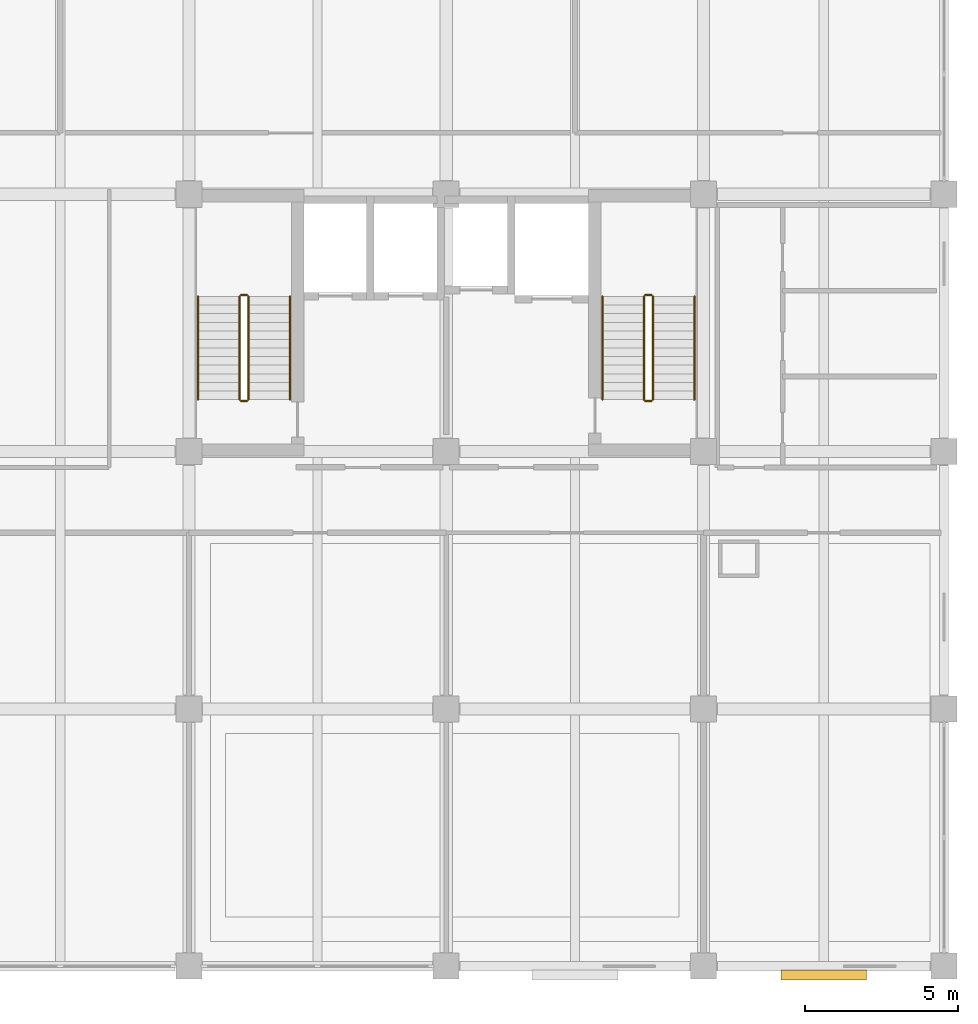
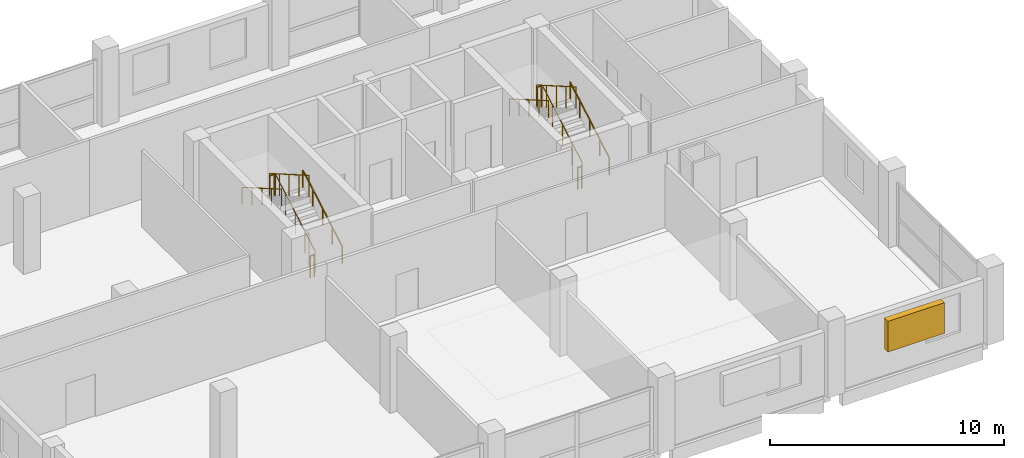
# One storey, part 11 of 11: 12 railings, 1 shading device.
"""IFC4 building model written with IfcOpenShell, lengths in metres."""

from ifc_helpers import new_model, si_unit, direction, frame, origin, origin_2d, place, context, subcontext, project, spatial, rectangle, circle, extrude, material, type_object, element, save


model = new_model("IFC4")

# Units and contexts
model_context = context("Model", 3, precision=1e-05, world=origin(), true_north=direction((0.0, 1.0)))
body_context = subcontext(model_context, "Body", "Model", "MODEL_VIEW")
ifc_project = project(units=[si_unit("LENGTHUNIT", "METRE"), si_unit("AREAUNIT", "SQUARE_METRE"), si_unit("VOLUMEUNIT", "CUBIC_METRE"), si_unit("PLANEANGLEUNIT", "RADIAN"), si_unit("MASSUNIT", "GRAM", prefix="KILO")], contexts=[model_context])

# Site, building, storey
site_placement = place(None, origin())
site = spatial("IfcSite", under=ifc_project, at=site_placement, CompositionType="ELEMENT")
building_placement = place(site_placement, origin())
building = spatial("IfcBuilding", under=site, at=building_placement, Name="Brinegate Botanical Conservatory", CompositionType="ELEMENT")
storey_placement = place(building_placement, frame((0.0, 0.0, 23.39990234375)))
storey = spatial("IfcBuildingStorey", under=building, at=storey_placement, Name="L06", CompositionType="ELEMENT", Elevation=23.39990234375)

# Railings
ifc_material_1 = material(Name="Structural steel Q355B / S355 painted tubular guardrail", Category="steel")
railing_type_1 = type_object("IfcRailingType", Name="Rail_ST-GRD", PredefinedType="GUARDRAIL", material=ifc_material_1)
railing_1_placement = place(storey_placement, frame((140.75, 96.89990234375, 0.16162109375)))
element("IfcRailing", 1, at=railing_1_placement, inside=storey, type_object=railing_type_1, Name="L06 ST1 stair guard 1", PredefinedType="GUARDRAIL", context=body_context, shape_type="SweptSolid", body=[
    extrude(circle(Radius=0.02392578125, at=origin_2d()), frame((0.0, 0.0, 1.1259765625), z_axis=(0.0, 0.866190824863, 0.499713372768), x_axis=(-1.0, 0.0, 0.0)), (0.0, 0.0, 1.0), 3.879150390625),
    extrude(circle(Radius=0.02099609375, at=origin_2d()), origin(), (0.0, 0.0, 1.0), 1.101806640625),
    extrude(circle(Radius=0.02099609375, at=origin_2d()), frame((0.0, 0.840087890625, 0.484619140625)), (0.0, 0.0, 1.0), 1.101806640625),
    extrude(circle(Radius=0.02099609375, at=origin_2d()), frame((0.0, 1.68017578125, 0.96923828125)), (0.0, 0.0, 1.0), 1.101806640625),
    extrude(circle(Radius=0.02099609375, at=origin_2d()), frame((0.0, 2.52001953125, 1.453857421875)), (0.0, 0.0, 1.0), 1.101806640625),
    extrude(circle(Radius=0.02099609375, at=origin_2d()), frame((0.0, 3.360107421875, 1.9384765625)), (0.0, 0.0, 1.0), 1.101806640625),
])
railing_2_placement = place(storey_placement, frame((140.699951171875, 100.31005859375, 2.10009765625)))
element("IfcRailing", 2, at=railing_2_placement, inside=storey, type_object=railing_type_1, Name="L06 ST1 stair guard 2", PredefinedType="GUARDRAIL", context=body_context, shape_type="SweptSolid", body=[
    extrude(circle(Radius=0.02392578125, at=origin_2d()), frame((0.0, 0.0, 1.1259765625), z_axis=(-1.0, 0.0, 0.0), x_axis=(0.0, -1.0, 0.0)), (0.0, 0.0, 1.0), 0.199951171875),
    extrude(circle(Radius=0.02099609375, at=origin_2d()), origin(), (0.0, 0.0, 1.0), 1.101806640625),
    extrude(circle(Radius=0.02099609375, at=origin_2d()), frame((-0.199951171875, 0.0, 0.0)), (0.0, 0.0, 1.0), 1.101806640625),
])
railing_3_placement = place(storey_placement, frame((140.449951171875, 100.260009765625, 2.26171875)))
element("IfcRailing", 3, at=railing_3_placement, inside=storey, type_object=railing_type_1, Name="L06 ST1 stair guard 3", PredefinedType="GUARDRAIL", context=body_context, shape_type="SweptSolid", body=[
    extrude(circle(Radius=0.02392578125, at=origin_2d()), frame((0.0, 0.0, 1.1259765625), z_axis=(0.0, -0.866190824863, 0.499713372768), x_axis=(1.0, 0.0, 0.0)), (0.0, 0.0, 1.0), 3.879150390625),
    extrude(circle(Radius=0.02099609375, at=origin_2d()), origin(), (0.0, 0.0, 1.0), 1.101806640625),
    extrude(circle(Radius=0.02099609375, at=origin_2d()), frame((0.0, -0.840087890625, 0.484619140625)), (0.0, 0.0, 1.0), 1.101806640625),
    extrude(circle(Radius=0.02099609375, at=origin_2d()), frame((0.0, -1.68017578125, 0.96923828125)), (0.0, 0.0, 1.0), 1.101806640625),
    extrude(circle(Radius=0.02099609375, at=origin_2d()), frame((0.0, -2.52001953125, 1.453857421875)), (0.0, 0.0, 1.0), 1.101806640625),
    extrude(circle(Radius=0.02099609375, at=origin_2d()), frame((0.0, -3.360107421875, 1.9384765625)), (0.0, 0.0, 1.0), 1.101806640625),
])
railing_4_placement = place(storey_placement, frame((140.699951171875, 96.85009765625, 0.0)))
element("IfcRailing", 4, at=railing_4_placement, inside=storey, type_object=railing_type_1, Name="L06 ST1 stair guard 4", PredefinedType="GUARDRAIL", context=body_context, shape_type="SweptSolid", body=[
    extrude(circle(Radius=0.02392578125, at=origin_2d()), frame((0.0, 0.0, 1.1259765625), z_axis=(-1.0, 0.0, 0.0), x_axis=(0.0, -1.0, 0.0)), (0.0, 0.0, 1.0), 0.199951171875),
    extrude(circle(Radius=0.02099609375, at=origin_2d()), origin(), (0.0, 0.0, 1.0), 1.101806640625),
    extrude(circle(Radius=0.02099609375, at=origin_2d()), frame((-0.199951171875, 0.0, 0.0)), (0.0, 0.0, 1.0), 1.101806640625),
])
railing_5_placement = place(storey_placement, frame((153.949951171875, 96.89990234375, 0.16162109375)))
element("IfcRailing", 5, at=railing_5_placement, inside=storey, type_object=railing_type_1, Name="L06 ST2 stair guard 1", PredefinedType="GUARDRAIL", context=body_context, shape_type="SweptSolid", body=[
    extrude(circle(Radius=0.02392578125, at=origin_2d()), frame((0.0, 0.0, 1.1259765625), z_axis=(0.0, 0.866190824863, 0.499713372768), x_axis=(-1.0, 0.0, 0.0)), (0.0, 0.0, 1.0), 3.879150390625),
    extrude(circle(Radius=0.02099609375, at=origin_2d()), origin(), (0.0, 0.0, 1.0), 1.101806640625),
    extrude(circle(Radius=0.02099609375, at=origin_2d()), frame((0.0, 0.840087890625, 0.484619140625)), (0.0, 0.0, 1.0), 1.101806640625),
    extrude(circle(Radius=0.02099609375, at=origin_2d()), frame((0.0, 1.68017578125, 0.96923828125)), (0.0, 0.0, 1.0), 1.101806640625),
    extrude(circle(Radius=0.02099609375, at=origin_2d()), frame((0.0, 2.52001953125, 1.453857421875)), (0.0, 0.0, 1.0), 1.101806640625),
    extrude(circle(Radius=0.02099609375, at=origin_2d()), frame((0.0, 3.360107421875, 1.9384765625)), (0.0, 0.0, 1.0), 1.101806640625),
])
railing_6_placement = place(storey_placement, frame((153.89990234375, 100.31005859375, 2.10009765625)))
element("IfcRailing", 6, at=railing_6_placement, inside=storey, type_object=railing_type_1, Name="L06 ST2 stair guard 2", PredefinedType="GUARDRAIL", context=body_context, shape_type="SweptSolid", body=[
    extrude(circle(Radius=0.02392578125, at=origin_2d()), frame((0.0, 0.0, 1.1259765625), z_axis=(-1.0, 0.0, 0.0), x_axis=(0.0, -1.0, 0.0)), (0.0, 0.0, 1.0), 0.199951171875),
    extrude(circle(Radius=0.02099609375, at=origin_2d()), origin(), (0.0, 0.0, 1.0), 1.101806640625),
    extrude(circle(Radius=0.02099609375, at=origin_2d()), frame((-0.199951171875, 0.0, 0.0)), (0.0, 0.0, 1.0), 1.101806640625),
])
railing_7_placement = place(storey_placement, frame((153.64990234375, 100.260009765625, 2.26171875)))
element("IfcRailing", 7, at=railing_7_placement, inside=storey, type_object=railing_type_1, Name="L06 ST2 stair guard 3", PredefinedType="GUARDRAIL", context=body_context, shape_type="SweptSolid", body=[
    extrude(circle(Radius=0.02392578125, at=origin_2d()), frame((0.0, 0.0, 1.1259765625), z_axis=(0.0, -0.866190824863, 0.499713372768), x_axis=(1.0, 0.0, 0.0)), (0.0, 0.0, 1.0), 3.879150390625),
    extrude(circle(Radius=0.02099609375, at=origin_2d()), origin(), (0.0, 0.0, 1.0), 1.101806640625),
    extrude(circle(Radius=0.02099609375, at=origin_2d()), frame((0.0, -0.840087890625, 0.484619140625)), (0.0, 0.0, 1.0), 1.101806640625),
    extrude(circle(Radius=0.02099609375, at=origin_2d()), frame((0.0, -1.68017578125, 0.96923828125)), (0.0, 0.0, 1.0), 1.101806640625),
    extrude(circle(Radius=0.02099609375, at=origin_2d()), frame((0.0, -2.52001953125, 1.453857421875)), (0.0, 0.0, 1.0), 1.101806640625),
    extrude(circle(Radius=0.02099609375, at=origin_2d()), frame((0.0, -3.360107421875, 1.9384765625)), (0.0, 0.0, 1.0), 1.101806640625),
])
railing_8_placement = place(storey_placement, frame((153.89990234375, 96.85009765625, 0.0)))
element("IfcRailing", 8, at=railing_8_placement, inside=storey, type_object=railing_type_1, Name="L06 ST2 stair guard 4", PredefinedType="GUARDRAIL", context=body_context, shape_type="SweptSolid", body=[
    extrude(circle(Radius=0.02392578125, at=origin_2d()), frame((0.0, 0.0, 1.1259765625), z_axis=(-1.0, 0.0, 0.0), x_axis=(0.0, -1.0, 0.0)), (0.0, 0.0, 1.0), 0.199951171875),
    extrude(circle(Radius=0.02099609375, at=origin_2d()), origin(), (0.0, 0.0, 1.0), 1.101806640625),
    extrude(circle(Radius=0.02099609375, at=origin_2d()), frame((-0.199951171875, 0.0, 0.0)), (0.0, 0.0, 1.0), 1.101806640625),
])
ifc_material_2 = material(Name="Brushed stainless steel S355 handrail", Category="steel")
railing_type_2 = type_object("IfcRailingType", Name="Rail_ST-HND", PredefinedType="HANDRAIL", material=ifc_material_2)
railing_9_placement = place(storey_placement, frame((142.10009765625, 96.89990234375, 0.16162109375)))
element("IfcRailing", 9, at=railing_9_placement, inside=storey, type_object=railing_type_2, Name="L06 ST1 stair handrail 1", PredefinedType="HANDRAIL", context=body_context, shape_type="SweptSolid", body=[
    extrude(circle(Radius=0.02392578125, at=origin_2d()), frame((0.0, 0.0, 0.8759765625), z_axis=(0.0, 0.866190824863, 0.499713372768), x_axis=(-1.0, 0.0, 0.0)), (0.0, 0.0, 1.0), 3.879150390625),
    extrude(circle(Radius=0.02099609375, at=origin_2d()), origin(), (0.0, 0.0, 1.0), 0.851806640625),
    extrude(circle(Radius=0.02099609375, at=origin_2d()), frame((0.0, 0.840087890625, 0.484619140625)), (0.0, 0.0, 1.0), 0.851806640625),
    extrude(circle(Radius=0.02099609375, at=origin_2d()), frame((0.0, 1.68017578125, 0.96923828125)), (0.0, 0.0, 1.0), 0.851806640625),
    extrude(circle(Radius=0.02099609375, at=origin_2d()), frame((0.0, 2.52001953125, 1.453857421875)), (0.0, 0.0, 1.0), 0.851806640625),
    extrude(circle(Radius=0.02099609375, at=origin_2d()), frame((0.0, 3.360107421875, 1.9384765625)), (0.0, 0.0, 1.0), 0.851806640625),
])
railing_10_placement = place(storey_placement, frame((139.10009765625, 100.260009765625, 2.26171875)))
element("IfcRailing", 10, at=railing_10_placement, inside=storey, type_object=railing_type_2, Name="L06 ST1 stair handrail 2", PredefinedType="HANDRAIL", context=body_context, shape_type="SweptSolid", body=[
    extrude(circle(Radius=0.02392578125, at=origin_2d()), frame((0.0, 0.0, 0.8759765625), z_axis=(0.0, -0.866190824863, 0.499713372768), x_axis=(1.0, 0.0, 0.0)), (0.0, 0.0, 1.0), 3.879150390625),
    extrude(circle(Radius=0.02099609375, at=origin_2d()), origin(), (0.0, 0.0, 1.0), 0.851806640625),
    extrude(circle(Radius=0.02099609375, at=origin_2d()), frame((0.0, -0.840087890625, 0.484619140625)), (0.0, 0.0, 1.0), 0.851806640625),
    extrude(circle(Radius=0.02099609375, at=origin_2d()), frame((0.0, -1.68017578125, 0.96923828125)), (0.0, 0.0, 1.0), 0.851806640625),
    extrude(circle(Radius=0.02099609375, at=origin_2d()), frame((0.0, -2.52001953125, 1.453857421875)), (0.0, 0.0, 1.0), 0.851806640625),
    extrude(circle(Radius=0.02099609375, at=origin_2d()), frame((0.0, -3.360107421875, 1.9384765625)), (0.0, 0.0, 1.0), 0.851806640625),
])
railing_11_placement = place(storey_placement, frame((155.300048828125, 96.89990234375, 0.16162109375)))
element("IfcRailing", 11, at=railing_11_placement, inside=storey, type_object=railing_type_2, Name="L06 ST2 stair handrail 1", PredefinedType="HANDRAIL", context=body_context, shape_type="SweptSolid", body=[
    extrude(circle(Radius=0.02392578125, at=origin_2d()), frame((0.0, 0.0, 0.8759765625), z_axis=(0.0, 0.866190824863, 0.499713372768), x_axis=(-1.0, 0.0, 0.0)), (0.0, 0.0, 1.0), 3.879150390625),
    extrude(circle(Radius=0.02099609375, at=origin_2d()), origin(), (0.0, 0.0, 1.0), 0.851806640625),
    extrude(circle(Radius=0.02099609375, at=origin_2d()), frame((0.0, 0.840087890625, 0.484619140625)), (0.0, 0.0, 1.0), 0.851806640625),
    extrude(circle(Radius=0.02099609375, at=origin_2d()), frame((0.0, 1.68017578125, 0.96923828125)), (0.0, 0.0, 1.0), 0.851806640625),
    extrude(circle(Radius=0.02099609375, at=origin_2d()), frame((0.0, 2.52001953125, 1.453857421875)), (0.0, 0.0, 1.0), 0.851806640625),
    extrude(circle(Radius=0.02099609375, at=origin_2d()), frame((0.0, 3.360107421875, 1.9384765625)), (0.0, 0.0, 1.0), 0.851806640625),
])
railing_12_placement = place(storey_placement, frame((152.300048828125, 100.260009765625, 2.26171875)))
element("IfcRailing", 12, at=railing_12_placement, inside=storey, type_object=railing_type_2, Name="L06 ST2 stair handrail 2", PredefinedType="HANDRAIL", context=body_context, shape_type="SweptSolid", body=[
    extrude(circle(Radius=0.02392578125, at=origin_2d()), frame((0.0, 0.0, 0.8759765625), z_axis=(0.0, -0.866190824863, 0.499713372768), x_axis=(1.0, 0.0, 0.0)), (0.0, 0.0, 1.0), 3.879150390625),
    extrude(circle(Radius=0.02099609375, at=origin_2d()), origin(), (0.0, 0.0, 1.0), 0.851806640625),
    extrude(circle(Radius=0.02099609375, at=origin_2d()), frame((0.0, -0.840087890625, 0.484619140625)), (0.0, 0.0, 1.0), 0.851806640625),
    extrude(circle(Radius=0.02099609375, at=origin_2d()), frame((0.0, -1.68017578125, 0.96923828125)), (0.0, 0.0, 1.0), 0.851806640625),
    extrude(circle(Radius=0.02099609375, at=origin_2d()), frame((0.0, -2.52001953125, 1.453857421875)), (0.0, 0.0, 1.0), 0.851806640625),
    extrude(circle(Radius=0.02099609375, at=origin_2d()), frame((0.0, -3.360107421875, 1.9384765625)), (0.0, 0.0, 1.0), 0.851806640625),
])

# Shading device
ifc_material_3 = material(Name="Anodised aluminium AW-6063-T6 solar-storm fin bank", Category="aluminium")
shading_device_type = type_object("IfcShadingDeviceType", Name="Shade_SLV-02", PredefinedType="JALOUSIE", material=ifc_material_3)
shading_device_placement = place(storey_placement, frame((159.52490234375, 78.110107421875, 1.400146484375), z_axis=(0.0, 0.0, 1.0), x_axis=(1.0, 0.0, 0.0)))
element("IfcShadingDevice", 13, at=shading_device_placement, inside=storey, type_object=shading_device_type, Name="Research lab south storm louvre L06.5", PredefinedType="JALOUSIE", context=body_context, shape_type="SweptSolid", body=[
    extrude(rectangle(XDim=2.800048828125, YDim=0.320068359375, at=origin_2d()), origin(), (0.0, 0.0, 1.0), 1.60009765625),
])

save(model, "model.ifc")
